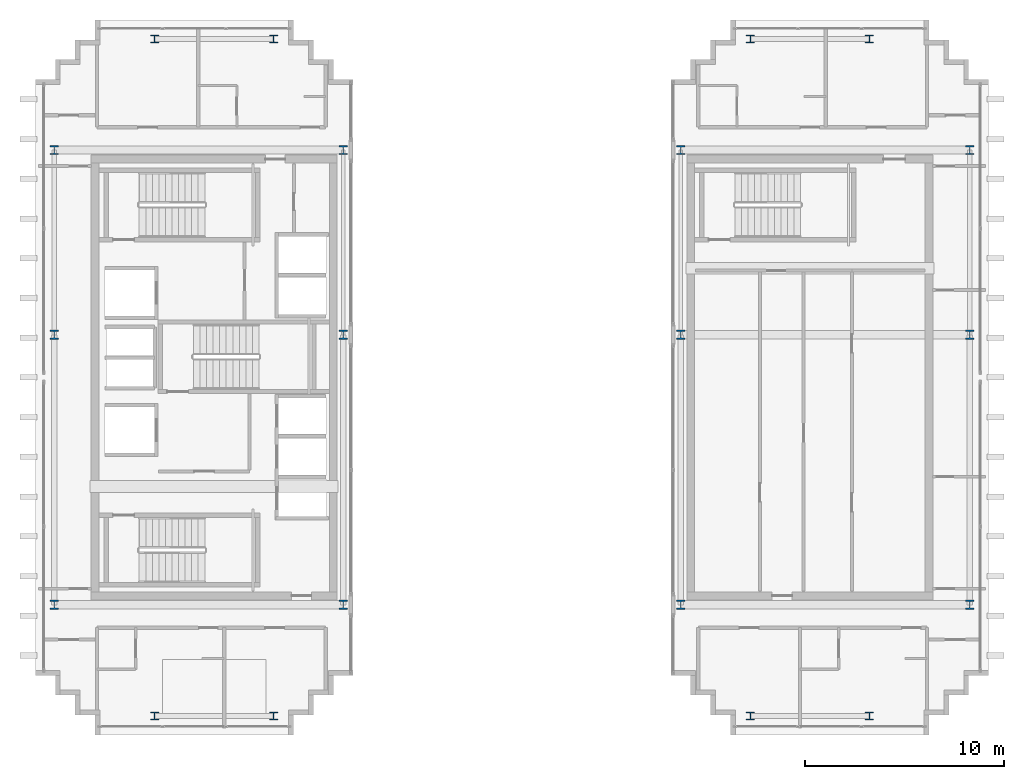
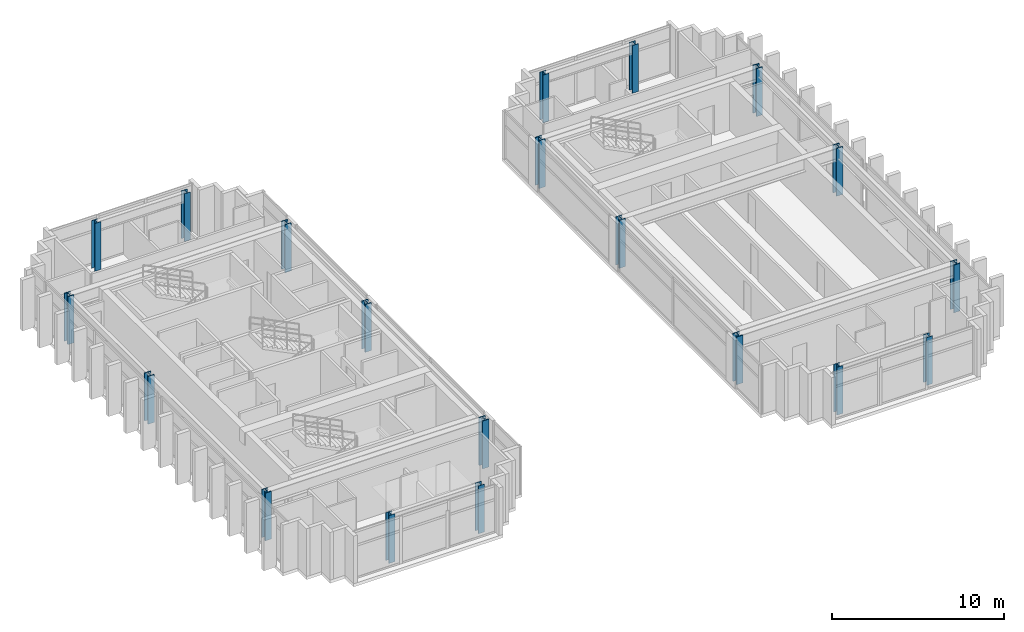
# One storey, part 1 of 25: 20 columns.
"""IFC4 building model written with IfcOpenShell, lengths in metres."""

from ifc_helpers import new_model, si_unit, direction, frame, origin, origin_2d, place, context, subcontext, project, spatial, i_section, extrude, source, transform, mapped, material, material_profile, profile_set, type_object, element, save


model = new_model("IFC4")

# Units and contexts
model_context = context("Model", 3, precision=1e-05, world=origin(), true_north=direction((0.0, 1.0)))
body_context = subcontext(model_context, "Body", "Model", "MODEL_VIEW")
ifc_project = project(units=[si_unit("LENGTHUNIT", "METRE"), si_unit("AREAUNIT", "SQUARE_METRE"), si_unit("VOLUMEUNIT", "CUBIC_METRE"), si_unit("PLANEANGLEUNIT", "RADIAN"), si_unit("MASSUNIT", "GRAM", prefix="KILO")], contexts=[model_context])

# Site, building, storey
site_placement = place(None, origin())
site = spatial("IfcSite", under=ifc_project, at=site_placement, CompositionType="ELEMENT")
building_placement = place(site_placement, origin())
building = spatial("IfcBuilding", under=site, at=building_placement, Name="Ocotamira Hotel", CompositionType="ELEMENT")
storey_placement = place(building_placement, frame((0.0, 0.0, 258.0)))
storey = spatial("IfcBuildingStorey", under=building, at=storey_placement, Name="L65", CompositionType="ELEMENT", Elevation=258.0)

# Columns
ifc_material_1 = material(Name="Steel ASTM A913 Grade 65", Category="steel")
ifc_material_profile_1 = material_profile(ifc_material_1, i_section(OverallWidth=0.422119140625, OverallDepth=0.465087890625, WebThickness=0.044921875, FlangeThickness=0.072509765625, FilletRadius=0.02490234375, at=origin_2d()), Name="W14X398")
ifc_profile_set_1 = profile_set([ifc_material_profile_1], Name="Steel ASTM A913 Grade 65")
column_type_1 = type_object("IfcColumnType", Name="COL-W14X398", PredefinedType="COLUMN", material=ifc_profile_set_1)
shared_shape_1 = source(origin(), body_context, "Body", "SweptSolid", [
    extrude(i_section(OverallWidth=0.422119140625, OverallDepth=0.465087890625, WebThickness=0.044921875, FlangeThickness=0.072509765625, FilletRadius=0.02490234375, at=origin_2d()), origin(), (0.0, 0.0, 1.0), 3.3798828125),
])
for number, where, z_axis, x_axis, name in (
    (1, (8.949951171875, 14.550048828125, 0.0), (0.0, 0.0, 1.0), (1.0, 0.0, 0.0), "L65 Column TW8_14"),
    (2, (23.5, 14.550048828125, 0.0), (0.0, 0.0, 1.0), (1.0, 0.0, 0.0), "L65 Column TW23_14"),
    (3, (40.5, 14.550048828125, 0.0), (0.0, 0.0, 1.0), (1.0, 0.0, 0.0), "L65 Column TE40_14"),
    (4, (55.050048828125, 14.550048828125, 0.0), (0.0, 0.0, 1.0), (1.0, 0.0, 0.0), "L65 Column TE55_14"),
    (5, (8.949951171875, 28.14990234375, 0.0), (0.0, 0.0, 1.0), (1.0, 0.0, 0.0), "L65 Column TW8_28"),
    (6, (23.5, 28.14990234375, 0.0), (0.0, 0.0, 1.0), (1.0, 0.0, 0.0), "L65 Column TW23_28"),
    (7, (40.5, 28.14990234375, 0.0), (0.0, 0.0, 1.0), (1.0, 0.0, 0.0), "L65 Column TE40_28"),
    (8, (55.050048828125, 28.14990234375, 0.0), (0.0, 0.0, 1.0), (1.0, 0.0, 0.0), "L65 Column TE55_28"),
    (9, (8.949951171875, 37.449951171875, 0.0), (0.0, 0.0, 1.0), (1.0, 0.0, 0.0), "L65 Column TW8_37"),
    (10, (23.5, 37.449951171875, 0.0), (0.0, 0.0, 1.0), (1.0, 0.0, 0.0), "L65 Column TW23_37"),
    (11, (40.5, 37.449951171875, 0.0), (0.0, 0.0, 1.0), (1.0, 0.0, 0.0), "L65 Column TE40_37"),
    (12, (55.050048828125, 37.449951171875, 0.0), (0.0, 0.0, 1.0), (1.0, 0.0, 0.0), "L65 Column TE55_37"),
):
    element("IfcColumn", number, at=place(storey_placement, frame(where, z_axis=z_axis, x_axis=x_axis)), inside=storey, type_object=column_type_1, Name=name, PredefinedType="COLUMN", context=body_context, shape_type="MappedRepresentation", body=[
        mapped(shared_shape_1, transform((0.0, 0.0, 0.0), scale=1.0)),
    ])
ifc_material_2 = material(Name="Steel ASTM A992 Grade 50", Category="steel")
ifc_material_profile_2 = material_profile(ifc_material_2, i_section(OverallWidth=0.39892578125, OverallDepth=0.386962890625, WebThickness=0.02099609375, FlangeThickness=0.033203125, FilletRadius=0.02490234375, at=origin_2d()), Name="W14X176")
ifc_profile_set_2 = profile_set([ifc_material_profile_2], Name="Steel ASTM A992 Grade 50")
column_type_2 = type_object("IfcColumnType", Name="COL-W14X176", PredefinedType="COLUMN", material=ifc_profile_set_2)
shared_shape_2 = source(origin(), body_context, "Body", "SweptSolid", [
    extrude(i_section(OverallWidth=0.39892578125, OverallDepth=0.386962890625, WebThickness=0.02099609375, FlangeThickness=0.033203125, FilletRadius=0.02490234375, at=origin_2d()), origin(), (0.0, 0.0, 1.0), 3.3798828125),
])
for number, where, z_axis, x_axis, name in (
    (13, (14.0, 8.949951171875, 0.0), (0.0, 0.0, 1.0), (1.0, 0.0, 0.0), "L65 Column NSP1_14"),
    (14, (20.0, 8.949951171875, 0.0), (0.0, 0.0, 1.0), (1.0, 0.0, 0.0), "L65 Column NSP1_20"),
    (15, (44.0, 8.949951171875, 0.0), (0.0, 0.0, 1.0), (1.0, 0.0, 0.0), "L65 Column NSP1_44"),
    (16, (50.0, 8.949951171875, 0.0), (0.0, 0.0, 1.0), (1.0, 0.0, 0.0), "L65 Column NSP1_50"),
    (17, (14.0, 43.050048828125, 0.0), (0.0, 0.0, 1.0), (1.0, 0.0, 0.0), "L65 Column NSP2_14"),
    (18, (20.0, 43.050048828125, 0.0), (0.0, 0.0, 1.0), (1.0, 0.0, 0.0), "L65 Column NSP2_20"),
    (19, (44.0, 43.050048828125, 0.0), (0.0, 0.0, 1.0), (1.0, 0.0, 0.0), "L65 Column NSP2_44"),
    (20, (50.0, 43.050048828125, 0.0), (0.0, 0.0, 1.0), (1.0, 0.0, 0.0), "L65 Column NSP2_50"),
):
    element("IfcColumn", number, at=place(storey_placement, frame(where, z_axis=z_axis, x_axis=x_axis)), inside=storey, type_object=column_type_2, Name=name, PredefinedType="COLUMN", context=body_context, shape_type="MappedRepresentation", body=[
        mapped(shared_shape_2, transform((0.0, 0.0, 0.0), scale=1.0)),
    ])

save(model, "model.ifc")
